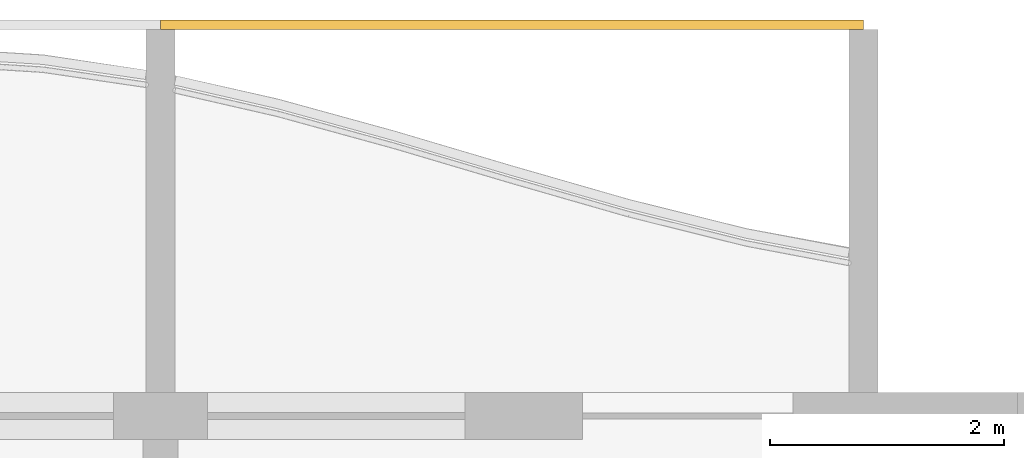
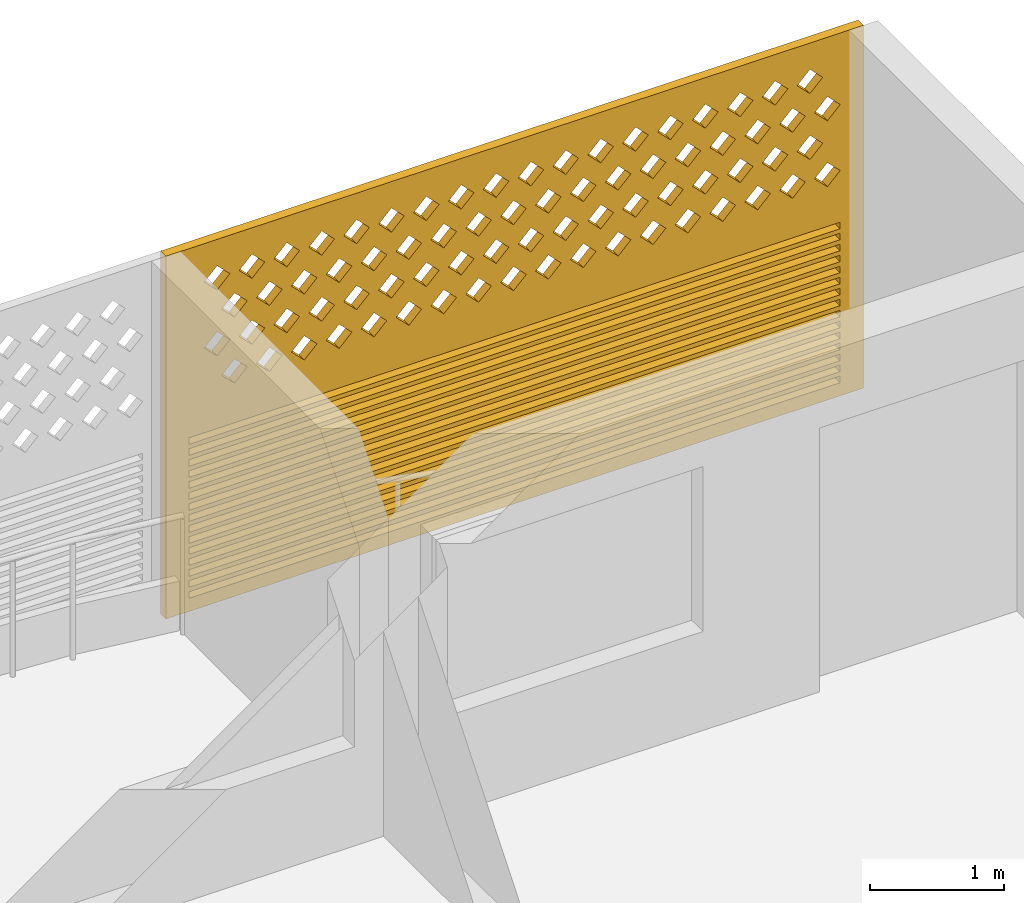
# One storey, part 31 of 31: 1 covering.
"""IFC4 building model written with IfcOpenShell, lengths in metres."""

from ifc_helpers import new_model, si_unit, direction, frame, origin, place, context, subcontext, project, spatial, polyline, outline, extrude, source, transform, mapped, material, material_profile, profile_set, type_object, element, save


model = new_model("IFC4")

# Units and contexts
model_context = context("Model", 3, precision=1e-05, world=origin(), true_north=direction((0.0, 1.0)))
body_context = subcontext(model_context, "Body", "Model", "MODEL_VIEW")
ifc_project = project(units=[si_unit("LENGTHUNIT", "METRE"), si_unit("AREAUNIT", "SQUARE_METRE"), si_unit("VOLUMEUNIT", "CUBIC_METRE"), si_unit("PLANEANGLEUNIT", "RADIAN"), si_unit("MASSUNIT", "GRAM", prefix="KILO")], contexts=[model_context])

# Site, building, storey
site_placement = place(None, origin())
site = spatial("IfcSite", under=ifc_project, at=site_placement, CompositionType="ELEMENT")
building_placement = place(site_placement, origin())
building = spatial("IfcBuilding", under=site, at=building_placement, Name="Poui Terraces", CompositionType="ELEMENT")
storey_placement = place(building_placement, frame((0.0, 0.0, 145.5)))
storey = spatial("IfcBuildingStorey", under=building, at=storey_placement, Name="L40", CompositionType="ELEMENT", Elevation=145.5)

# Covering
ifc_material = material(Name="Terracotta screen", Category="masonry")
ifc_material_profile = material_profile(ifc_material, outline(polyline([(-3.0, -1.64990234375), (3.0, -1.64990234375), (3.0, 1.64990234375), (-3.0, 1.64990234375), (-3.0, -1.64990234375)]), holes=[polyline([(-2.800048828125, 0.39990234375), (-2.68994140625, 0.2900390625), (-2.580078125, 0.39990234375), (-2.68994140625, 0.510009765625), (-2.800048828125, 0.39990234375)]), polyline([(-2.5, 0.39990234375), (-2.389892578125, 0.2900390625), (-2.280029296875, 0.39990234375), (-2.389892578125, 0.510009765625), (-2.5, 0.39990234375)]), polyline([(-2.199951171875, 0.39990234375), (-2.090087890625, 0.2900390625), (-1.97998046875, 0.39990234375), (-2.090087890625, 0.510009765625), (-2.199951171875, 0.39990234375)]), polyline([(-1.89990234375, 0.39990234375), (-1.7900390625, 0.2900390625), (-1.679931640625, 0.39990234375), (-1.7900390625, 0.510009765625), (-1.89990234375, 0.39990234375)]), polyline([(-1.60009765625, 0.39990234375), (-1.489990234375, 0.2900390625), (-1.3798828125, 0.39990234375), (-1.489990234375, 0.510009765625), (-1.60009765625, 0.39990234375)]), polyline([(-1.300048828125, 0.39990234375), (-1.18994140625, 0.2900390625), (-1.080078125, 0.39990234375), (-1.18994140625, 0.510009765625), (-1.300048828125, 0.39990234375)]), polyline([(-1.0, 0.39990234375), (-0.889892578125, 0.2900390625), (-0.780029296875, 0.39990234375), (-0.889892578125, 0.510009765625), (-1.0, 0.39990234375)]), polyline([(-0.699951171875, 0.39990234375), (-0.590087890625, 0.2900390625), (-0.47998046875, 0.39990234375), (-0.590087890625, 0.510009765625), (-0.699951171875, 0.39990234375)]), polyline([(-0.39990234375, 0.39990234375), (-0.2900390625, 0.2900390625), (-0.179931640625, 0.39990234375), (-0.2900390625, 0.510009765625), (-0.39990234375, 0.39990234375)]), polyline([(-0.10009765625, 0.39990234375), (0.010009765625, 0.2900390625), (0.1201171875, 0.39990234375), (0.010009765625, 0.510009765625), (-0.10009765625, 0.39990234375)]), polyline([(0.199951171875, 0.39990234375), (0.31005859375, 0.2900390625), (0.419921875, 0.39990234375), (0.31005859375, 0.510009765625), (0.199951171875, 0.39990234375)]), polyline([(0.5, 0.39990234375), (0.610107421875, 0.2900390625), (0.719970703125, 0.39990234375), (0.610107421875, 0.510009765625), (0.5, 0.39990234375)]), polyline([(0.800048828125, 0.39990234375), (0.909912109375, 0.2900390625), (1.02001953125, 0.39990234375), (0.909912109375, 0.510009765625), (0.800048828125, 0.39990234375)]), polyline([(1.10009765625, 0.39990234375), (1.2099609375, 0.2900390625), (1.320068359375, 0.39990234375), (1.2099609375, 0.510009765625), (1.10009765625, 0.39990234375)]), polyline([(1.39990234375, 0.39990234375), (1.510009765625, 0.2900390625), (1.6201171875, 0.39990234375), (1.510009765625, 0.510009765625), (1.39990234375, 0.39990234375)]), polyline([(1.699951171875, 0.39990234375), (1.81005859375, 0.2900390625), (1.919921875, 0.39990234375), (1.81005859375, 0.510009765625), (1.699951171875, 0.39990234375)]), polyline([(2.0, 0.39990234375), (2.110107421875, 0.2900390625), (2.219970703125, 0.39990234375), (2.110107421875, 0.510009765625), (2.0, 0.39990234375)]), polyline([(2.300048828125, 0.39990234375), (2.409912109375, 0.2900390625), (2.52001953125, 0.39990234375), (2.409912109375, 0.510009765625), (2.300048828125, 0.39990234375)]), polyline([(-2.64990234375, 0.699951171875), (-2.5400390625, 0.590087890625), (-2.429931640625, 0.699951171875), (-2.5400390625, 0.81005859375), (-2.64990234375, 0.699951171875)]), polyline([(-2.35009765625, 0.699951171875), (-2.239990234375, 0.590087890625), (-2.1298828125, 0.699951171875), (-2.239990234375, 0.81005859375), (-2.35009765625, 0.699951171875)]), polyline([(-2.050048828125, 0.699951171875), (-1.93994140625, 0.590087890625), (-1.830078125, 0.699951171875), (-1.93994140625, 0.81005859375), (-2.050048828125, 0.699951171875)]), polyline([(-1.75, 0.699951171875), (-1.639892578125, 0.590087890625), (-1.530029296875, 0.699951171875), (-1.639892578125, 0.81005859375), (-1.75, 0.699951171875)]), polyline([(-1.449951171875, 0.699951171875), (-1.340087890625, 0.590087890625), (-1.22998046875, 0.699951171875), (-1.340087890625, 0.81005859375), (-1.449951171875, 0.699951171875)]), polyline([(-1.14990234375, 0.699951171875), (-1.0400390625, 0.590087890625), (-0.929931640625, 0.699951171875), (-1.0400390625, 0.81005859375), (-1.14990234375, 0.699951171875)]), polyline([(-0.85009765625, 0.699951171875), (-0.739990234375, 0.590087890625), (-0.6298828125, 0.699951171875), (-0.739990234375, 0.81005859375), (-0.85009765625, 0.699951171875)]), polyline([(-0.550048828125, 0.699951171875), (-0.43994140625, 0.590087890625), (-0.330078125, 0.699951171875), (-0.43994140625, 0.81005859375), (-0.550048828125, 0.699951171875)]), polyline([(-0.25, 0.699951171875), (-0.139892578125, 0.590087890625), (-0.030029296875, 0.699951171875), (-0.139892578125, 0.81005859375), (-0.25, 0.699951171875)]), polyline([(0.050048828125, 0.699951171875), (0.159912109375, 0.590087890625), (0.27001953125, 0.699951171875), (0.159912109375, 0.81005859375), (0.050048828125, 0.699951171875)]), polyline([(0.35009765625, 0.699951171875), (0.4599609375, 0.590087890625), (0.570068359375, 0.699951171875), (0.4599609375, 0.81005859375), (0.35009765625, 0.699951171875)]), polyline([(0.64990234375, 0.699951171875), (0.760009765625, 0.590087890625), (0.8701171875, 0.699951171875), (0.760009765625, 0.81005859375), (0.64990234375, 0.699951171875)]), polyline([(0.949951171875, 0.699951171875), (1.06005859375, 0.590087890625), (1.169921875, 0.699951171875), (1.06005859375, 0.81005859375), (0.949951171875, 0.699951171875)]), polyline([(1.25, 0.699951171875), (1.360107421875, 0.590087890625), (1.469970703125, 0.699951171875), (1.360107421875, 0.81005859375), (1.25, 0.699951171875)]), polyline([(1.550048828125, 0.699951171875), (1.659912109375, 0.590087890625), (1.77001953125, 0.699951171875), (1.659912109375, 0.81005859375), (1.550048828125, 0.699951171875)]), polyline([(1.85009765625, 0.699951171875), (1.9599609375, 0.590087890625), (2.070068359375, 0.699951171875), (1.9599609375, 0.81005859375), (1.85009765625, 0.699951171875)]), polyline([(2.14990234375, 0.699951171875), (2.260009765625, 0.590087890625), (2.3701171875, 0.699951171875), (2.260009765625, 0.81005859375), (2.14990234375, 0.699951171875)]), polyline([(2.449951171875, 0.699951171875), (2.56005859375, 0.590087890625), (2.669921875, 0.699951171875), (2.56005859375, 0.81005859375), (2.449951171875, 0.699951171875)]), polyline([(-2.800048828125, 1.0), (-2.68994140625, 0.889892578125), (-2.580078125, 1.0), (-2.68994140625, 1.110107421875), (-2.800048828125, 1.0)]), polyline([(-2.5, 1.0), (-2.389892578125, 0.889892578125), (-2.280029296875, 1.0), (-2.389892578125, 1.110107421875), (-2.5, 1.0)]), polyline([(-2.199951171875, 1.0), (-2.090087890625, 0.889892578125), (-1.97998046875, 1.0), (-2.090087890625, 1.110107421875), (-2.199951171875, 1.0)]), polyline([(-1.89990234375, 1.0), (-1.7900390625, 0.889892578125), (-1.679931640625, 1.0), (-1.7900390625, 1.110107421875), (-1.89990234375, 1.0)]), polyline([(-1.60009765625, 1.0), (-1.489990234375, 0.889892578125), (-1.3798828125, 1.0), (-1.489990234375, 1.110107421875), (-1.60009765625, 1.0)]), polyline([(-1.300048828125, 1.0), (-1.18994140625, 0.889892578125), (-1.080078125, 1.0), (-1.18994140625, 1.110107421875), (-1.300048828125, 1.0)]), polyline([(-1.0, 1.0), (-0.889892578125, 0.889892578125), (-0.780029296875, 1.0), (-0.889892578125, 1.110107421875), (-1.0, 1.0)]), polyline([(-0.699951171875, 1.0), (-0.590087890625, 0.889892578125), (-0.47998046875, 1.0), (-0.590087890625, 1.110107421875), (-0.699951171875, 1.0)]), polyline([(-0.39990234375, 1.0), (-0.2900390625, 0.889892578125), (-0.179931640625, 1.0), (-0.2900390625, 1.110107421875), (-0.39990234375, 1.0)]), polyline([(-0.10009765625, 1.0), (0.010009765625, 0.889892578125), (0.1201171875, 1.0), (0.010009765625, 1.110107421875), (-0.10009765625, 1.0)]), polyline([(0.199951171875, 1.0), (0.31005859375, 0.889892578125), (0.419921875, 1.0), (0.31005859375, 1.110107421875), (0.199951171875, 1.0)]), polyline([(0.5, 1.0), (0.610107421875, 0.889892578125), (0.719970703125, 1.0), (0.610107421875, 1.110107421875), (0.5, 1.0)]), polyline([(0.800048828125, 1.0), (0.909912109375, 0.889892578125), (1.02001953125, 1.0), (0.909912109375, 1.110107421875), (0.800048828125, 1.0)]), polyline([(1.10009765625, 1.0), (1.2099609375, 0.889892578125), (1.320068359375, 1.0), (1.2099609375, 1.110107421875), (1.10009765625, 1.0)]), polyline([(1.39990234375, 1.0), (1.510009765625, 0.889892578125), (1.6201171875, 1.0), (1.510009765625, 1.110107421875), (1.39990234375, 1.0)]), polyline([(1.699951171875, 1.0), (1.81005859375, 0.889892578125), (1.919921875, 1.0), (1.81005859375, 1.110107421875), (1.699951171875, 1.0)]), polyline([(2.0, 1.0), (2.110107421875, 0.889892578125), (2.219970703125, 1.0), (2.110107421875, 1.110107421875), (2.0, 1.0)]), polyline([(2.300048828125, 1.0), (2.409912109375, 0.889892578125), (2.52001953125, 1.0), (2.409912109375, 1.110107421875), (2.300048828125, 1.0)]), polyline([(-2.64990234375, 1.300048828125), (-2.5400390625, 1.18994140625), (-2.429931640625, 1.300048828125), (-2.5400390625, 1.409912109375), (-2.64990234375, 1.300048828125)]), polyline([(-2.35009765625, 1.300048828125), (-2.239990234375, 1.18994140625), (-2.1298828125, 1.300048828125), (-2.239990234375, 1.409912109375), (-2.35009765625, 1.300048828125)]), polyline([(-2.050048828125, 1.300048828125), (-1.93994140625, 1.18994140625), (-1.830078125, 1.300048828125), (-1.93994140625, 1.409912109375), (-2.050048828125, 1.300048828125)]), polyline([(-1.75, 1.300048828125), (-1.639892578125, 1.18994140625), (-1.530029296875, 1.300048828125), (-1.639892578125, 1.409912109375), (-1.75, 1.300048828125)]), polyline([(-1.449951171875, 1.300048828125), (-1.340087890625, 1.18994140625), (-1.22998046875, 1.300048828125), (-1.340087890625, 1.409912109375), (-1.449951171875, 1.300048828125)]), polyline([(-1.14990234375, 1.300048828125), (-1.0400390625, 1.18994140625), (-0.929931640625, 1.300048828125), (-1.0400390625, 1.409912109375), (-1.14990234375, 1.300048828125)]), polyline([(-0.85009765625, 1.300048828125), (-0.739990234375, 1.18994140625), (-0.6298828125, 1.300048828125), (-0.739990234375, 1.409912109375), (-0.85009765625, 1.300048828125)]), polyline([(-0.550048828125, 1.300048828125), (-0.43994140625, 1.18994140625), (-0.330078125, 1.300048828125), (-0.43994140625, 1.409912109375), (-0.550048828125, 1.300048828125)]), polyline([(-0.25, 1.300048828125), (-0.139892578125, 1.18994140625), (-0.030029296875, 1.300048828125), (-0.139892578125, 1.409912109375), (-0.25, 1.300048828125)]), polyline([(0.050048828125, 1.300048828125), (0.159912109375, 1.18994140625), (0.27001953125, 1.300048828125), (0.159912109375, 1.409912109375), (0.050048828125, 1.300048828125)]), polyline([(0.35009765625, 1.300048828125), (0.4599609375, 1.18994140625), (0.570068359375, 1.300048828125), (0.4599609375, 1.409912109375), (0.35009765625, 1.300048828125)]), polyline([(0.64990234375, 1.300048828125), (0.760009765625, 1.18994140625), (0.8701171875, 1.300048828125), (0.760009765625, 1.409912109375), (0.64990234375, 1.300048828125)]), polyline([(0.949951171875, 1.300048828125), (1.06005859375, 1.18994140625), (1.169921875, 1.300048828125), (1.06005859375, 1.409912109375), (0.949951171875, 1.300048828125)]), polyline([(1.25, 1.300048828125), (1.360107421875, 1.18994140625), (1.469970703125, 1.300048828125), (1.360107421875, 1.409912109375), (1.25, 1.300048828125)]), polyline([(1.550048828125, 1.300048828125), (1.659912109375, 1.18994140625), (1.77001953125, 1.300048828125), (1.659912109375, 1.409912109375), (1.550048828125, 1.300048828125)]), polyline([(1.85009765625, 1.300048828125), (1.9599609375, 1.18994140625), (2.070068359375, 1.300048828125), (1.9599609375, 1.409912109375), (1.85009765625, 1.300048828125)]), polyline([(2.14990234375, 1.300048828125), (2.260009765625, 1.18994140625), (2.3701171875, 1.300048828125), (2.260009765625, 1.409912109375), (2.14990234375, 1.300048828125)]), polyline([(2.449951171875, 1.300048828125), (2.56005859375, 1.18994140625), (2.669921875, 1.300048828125), (2.56005859375, 1.409912109375), (2.449951171875, 1.300048828125)]), polyline([(-2.800048828125, -1.530029296875), (2.800048828125, -1.530029296875), (2.800048828125, -1.469970703125), (-2.800048828125, -1.469970703125), (-2.800048828125, -1.530029296875)]), polyline([(-2.800048828125, -1.429931640625), (2.800048828125, -1.429931640625), (2.800048828125, -1.3701171875), (-2.800048828125, -1.3701171875), (-2.800048828125, -1.429931640625)]), polyline([(-2.800048828125, -1.330078125), (2.800048828125, -1.330078125), (2.800048828125, -1.27001953125), (-2.800048828125, -1.27001953125), (-2.800048828125, -1.330078125)]), polyline([(-2.800048828125, -1.22998046875), (2.800048828125, -1.22998046875), (2.800048828125, -1.169921875), (-2.800048828125, -1.169921875), (-2.800048828125, -1.22998046875)]), polyline([(-2.800048828125, -1.1298828125), (2.800048828125, -1.1298828125), (2.800048828125, -1.070068359375), (-2.800048828125, -1.070068359375), (-2.800048828125, -1.1298828125)]), polyline([(-2.800048828125, -1.030029296875), (2.800048828125, -1.030029296875), (2.800048828125, -0.969970703125), (-2.800048828125, -0.969970703125), (-2.800048828125, -1.030029296875)]), polyline([(-2.800048828125, -0.929931640625), (2.800048828125, -0.929931640625), (2.800048828125, -0.8701171875), (-2.800048828125, -0.8701171875), (-2.800048828125, -0.929931640625)]), polyline([(-2.800048828125, -0.830078125), (2.800048828125, -0.830078125), (2.800048828125, -0.77001953125), (-2.800048828125, -0.77001953125), (-2.800048828125, -0.830078125)]), polyline([(-2.800048828125, -0.72998046875), (2.800048828125, -0.72998046875), (2.800048828125, -0.669921875), (-2.800048828125, -0.669921875), (-2.800048828125, -0.72998046875)]), polyline([(-2.800048828125, -0.6298828125), (2.800048828125, -0.6298828125), (2.800048828125, -0.570068359375), (-2.800048828125, -0.570068359375), (-2.800048828125, -0.6298828125)]), polyline([(-2.800048828125, -0.530029296875), (2.800048828125, -0.530029296875), (2.800048828125, -0.469970703125), (-2.800048828125, -0.469970703125), (-2.800048828125, -0.530029296875)]), polyline([(-2.800048828125, -0.429931640625), (2.800048828125, -0.429931640625), (2.800048828125, -0.3701171875), (-2.800048828125, -0.3701171875), (-2.800048828125, -0.429931640625)]), polyline([(-2.800048828125, -0.330078125), (2.800048828125, -0.330078125), (2.800048828125, -0.27001953125), (-2.800048828125, -0.27001953125), (-2.800048828125, -0.330078125)]), polyline([(-2.800048828125, -0.22998046875), (2.800048828125, -0.22998046875), (2.800048828125, -0.169921875), (-2.800048828125, -0.169921875), (-2.800048828125, -0.22998046875)]), polyline([(-2.800048828125, -0.1298828125), (2.800048828125, -0.1298828125), (2.800048828125, -0.070068359375), (-2.800048828125, -0.070068359375), (-2.800048828125, -0.1298828125)])]), Name="TERRACOTTA SCREEN AND JALOUSIE LOUVRE 6000X3300")
ifc_profile_set = profile_set([ifc_material_profile], Name="Terracotta screen")
covering_type = type_object("IfcCoveringType", Name="TERRACOTTA SCREEN AND JALOUSIE LOUVRE 6000X3300", PredefinedType="CLADDING", material=ifc_profile_set)
shared_shape = source(origin(), body_context, "Body", "SweptSolid", [
    extrude(outline(polyline([(-3.0, -1.64990234375), (3.0, -1.64990234375), (3.0, 1.64990234375), (-3.0, 1.64990234375), (-3.0, -1.64990234375)]), holes=[polyline([(-2.800048828125, 0.39990234375), (-2.68994140625, 0.2900390625), (-2.580078125, 0.39990234375), (-2.68994140625, 0.510009765625), (-2.800048828125, 0.39990234375)]), polyline([(-2.5, 0.39990234375), (-2.389892578125, 0.2900390625), (-2.280029296875, 0.39990234375), (-2.389892578125, 0.510009765625), (-2.5, 0.39990234375)]), polyline([(-2.199951171875, 0.39990234375), (-2.090087890625, 0.2900390625), (-1.97998046875, 0.39990234375), (-2.090087890625, 0.510009765625), (-2.199951171875, 0.39990234375)]), polyline([(-1.89990234375, 0.39990234375), (-1.7900390625, 0.2900390625), (-1.679931640625, 0.39990234375), (-1.7900390625, 0.510009765625), (-1.89990234375, 0.39990234375)]), polyline([(-1.60009765625, 0.39990234375), (-1.489990234375, 0.2900390625), (-1.3798828125, 0.39990234375), (-1.489990234375, 0.510009765625), (-1.60009765625, 0.39990234375)]), polyline([(-1.300048828125, 0.39990234375), (-1.18994140625, 0.2900390625), (-1.080078125, 0.39990234375), (-1.18994140625, 0.510009765625), (-1.300048828125, 0.39990234375)]), polyline([(-1.0, 0.39990234375), (-0.889892578125, 0.2900390625), (-0.780029296875, 0.39990234375), (-0.889892578125, 0.510009765625), (-1.0, 0.39990234375)]), polyline([(-0.699951171875, 0.39990234375), (-0.590087890625, 0.2900390625), (-0.47998046875, 0.39990234375), (-0.590087890625, 0.510009765625), (-0.699951171875, 0.39990234375)]), polyline([(-0.39990234375, 0.39990234375), (-0.2900390625, 0.2900390625), (-0.179931640625, 0.39990234375), (-0.2900390625, 0.510009765625), (-0.39990234375, 0.39990234375)]), polyline([(-0.10009765625, 0.39990234375), (0.010009765625, 0.2900390625), (0.1201171875, 0.39990234375), (0.010009765625, 0.510009765625), (-0.10009765625, 0.39990234375)]), polyline([(0.199951171875, 0.39990234375), (0.31005859375, 0.2900390625), (0.419921875, 0.39990234375), (0.31005859375, 0.510009765625), (0.199951171875, 0.39990234375)]), polyline([(0.5, 0.39990234375), (0.610107421875, 0.2900390625), (0.719970703125, 0.39990234375), (0.610107421875, 0.510009765625), (0.5, 0.39990234375)]), polyline([(0.800048828125, 0.39990234375), (0.909912109375, 0.2900390625), (1.02001953125, 0.39990234375), (0.909912109375, 0.510009765625), (0.800048828125, 0.39990234375)]), polyline([(1.10009765625, 0.39990234375), (1.2099609375, 0.2900390625), (1.320068359375, 0.39990234375), (1.2099609375, 0.510009765625), (1.10009765625, 0.39990234375)]), polyline([(1.39990234375, 0.39990234375), (1.510009765625, 0.2900390625), (1.6201171875, 0.39990234375), (1.510009765625, 0.510009765625), (1.39990234375, 0.39990234375)]), polyline([(1.699951171875, 0.39990234375), (1.81005859375, 0.2900390625), (1.919921875, 0.39990234375), (1.81005859375, 0.510009765625), (1.699951171875, 0.39990234375)]), polyline([(2.0, 0.39990234375), (2.110107421875, 0.2900390625), (2.219970703125, 0.39990234375), (2.110107421875, 0.510009765625), (2.0, 0.39990234375)]), polyline([(2.300048828125, 0.39990234375), (2.409912109375, 0.2900390625), (2.52001953125, 0.39990234375), (2.409912109375, 0.510009765625), (2.300048828125, 0.39990234375)]), polyline([(-2.64990234375, 0.699951171875), (-2.5400390625, 0.590087890625), (-2.429931640625, 0.699951171875), (-2.5400390625, 0.81005859375), (-2.64990234375, 0.699951171875)]), polyline([(-2.35009765625, 0.699951171875), (-2.239990234375, 0.590087890625), (-2.1298828125, 0.699951171875), (-2.239990234375, 0.81005859375), (-2.35009765625, 0.699951171875)]), polyline([(-2.050048828125, 0.699951171875), (-1.93994140625, 0.590087890625), (-1.830078125, 0.699951171875), (-1.93994140625, 0.81005859375), (-2.050048828125, 0.699951171875)]), polyline([(-1.75, 0.699951171875), (-1.639892578125, 0.590087890625), (-1.530029296875, 0.699951171875), (-1.639892578125, 0.81005859375), (-1.75, 0.699951171875)]), polyline([(-1.449951171875, 0.699951171875), (-1.340087890625, 0.590087890625), (-1.22998046875, 0.699951171875), (-1.340087890625, 0.81005859375), (-1.449951171875, 0.699951171875)]), polyline([(-1.14990234375, 0.699951171875), (-1.0400390625, 0.590087890625), (-0.929931640625, 0.699951171875), (-1.0400390625, 0.81005859375), (-1.14990234375, 0.699951171875)]), polyline([(-0.85009765625, 0.699951171875), (-0.739990234375, 0.590087890625), (-0.6298828125, 0.699951171875), (-0.739990234375, 0.81005859375), (-0.85009765625, 0.699951171875)]), polyline([(-0.550048828125, 0.699951171875), (-0.43994140625, 0.590087890625), (-0.330078125, 0.699951171875), (-0.43994140625, 0.81005859375), (-0.550048828125, 0.699951171875)]), polyline([(-0.25, 0.699951171875), (-0.139892578125, 0.590087890625), (-0.030029296875, 0.699951171875), (-0.139892578125, 0.81005859375), (-0.25, 0.699951171875)]), polyline([(0.050048828125, 0.699951171875), (0.159912109375, 0.590087890625), (0.27001953125, 0.699951171875), (0.159912109375, 0.81005859375), (0.050048828125, 0.699951171875)]), polyline([(0.35009765625, 0.699951171875), (0.4599609375, 0.590087890625), (0.570068359375, 0.699951171875), (0.4599609375, 0.81005859375), (0.35009765625, 0.699951171875)]), polyline([(0.64990234375, 0.699951171875), (0.760009765625, 0.590087890625), (0.8701171875, 0.699951171875), (0.760009765625, 0.81005859375), (0.64990234375, 0.699951171875)]), polyline([(0.949951171875, 0.699951171875), (1.06005859375, 0.590087890625), (1.169921875, 0.699951171875), (1.06005859375, 0.81005859375), (0.949951171875, 0.699951171875)]), polyline([(1.25, 0.699951171875), (1.360107421875, 0.590087890625), (1.469970703125, 0.699951171875), (1.360107421875, 0.81005859375), (1.25, 0.699951171875)]), polyline([(1.550048828125, 0.699951171875), (1.659912109375, 0.590087890625), (1.77001953125, 0.699951171875), (1.659912109375, 0.81005859375), (1.550048828125, 0.699951171875)]), polyline([(1.85009765625, 0.699951171875), (1.9599609375, 0.590087890625), (2.070068359375, 0.699951171875), (1.9599609375, 0.81005859375), (1.85009765625, 0.699951171875)]), polyline([(2.14990234375, 0.699951171875), (2.260009765625, 0.590087890625), (2.3701171875, 0.699951171875), (2.260009765625, 0.81005859375), (2.14990234375, 0.699951171875)]), polyline([(2.449951171875, 0.699951171875), (2.56005859375, 0.590087890625), (2.669921875, 0.699951171875), (2.56005859375, 0.81005859375), (2.449951171875, 0.699951171875)]), polyline([(-2.800048828125, 1.0), (-2.68994140625, 0.889892578125), (-2.580078125, 1.0), (-2.68994140625, 1.110107421875), (-2.800048828125, 1.0)]), polyline([(-2.5, 1.0), (-2.389892578125, 0.889892578125), (-2.280029296875, 1.0), (-2.389892578125, 1.110107421875), (-2.5, 1.0)]), polyline([(-2.199951171875, 1.0), (-2.090087890625, 0.889892578125), (-1.97998046875, 1.0), (-2.090087890625, 1.110107421875), (-2.199951171875, 1.0)]), polyline([(-1.89990234375, 1.0), (-1.7900390625, 0.889892578125), (-1.679931640625, 1.0), (-1.7900390625, 1.110107421875), (-1.89990234375, 1.0)]), polyline([(-1.60009765625, 1.0), (-1.489990234375, 0.889892578125), (-1.3798828125, 1.0), (-1.489990234375, 1.110107421875), (-1.60009765625, 1.0)]), polyline([(-1.300048828125, 1.0), (-1.18994140625, 0.889892578125), (-1.080078125, 1.0), (-1.18994140625, 1.110107421875), (-1.300048828125, 1.0)]), polyline([(-1.0, 1.0), (-0.889892578125, 0.889892578125), (-0.780029296875, 1.0), (-0.889892578125, 1.110107421875), (-1.0, 1.0)]), polyline([(-0.699951171875, 1.0), (-0.590087890625, 0.889892578125), (-0.47998046875, 1.0), (-0.590087890625, 1.110107421875), (-0.699951171875, 1.0)]), polyline([(-0.39990234375, 1.0), (-0.2900390625, 0.889892578125), (-0.179931640625, 1.0), (-0.2900390625, 1.110107421875), (-0.39990234375, 1.0)]), polyline([(-0.10009765625, 1.0), (0.010009765625, 0.889892578125), (0.1201171875, 1.0), (0.010009765625, 1.110107421875), (-0.10009765625, 1.0)]), polyline([(0.199951171875, 1.0), (0.31005859375, 0.889892578125), (0.419921875, 1.0), (0.31005859375, 1.110107421875), (0.199951171875, 1.0)]), polyline([(0.5, 1.0), (0.610107421875, 0.889892578125), (0.719970703125, 1.0), (0.610107421875, 1.110107421875), (0.5, 1.0)]), polyline([(0.800048828125, 1.0), (0.909912109375, 0.889892578125), (1.02001953125, 1.0), (0.909912109375, 1.110107421875), (0.800048828125, 1.0)]), polyline([(1.10009765625, 1.0), (1.2099609375, 0.889892578125), (1.320068359375, 1.0), (1.2099609375, 1.110107421875), (1.10009765625, 1.0)]), polyline([(1.39990234375, 1.0), (1.510009765625, 0.889892578125), (1.6201171875, 1.0), (1.510009765625, 1.110107421875), (1.39990234375, 1.0)]), polyline([(1.699951171875, 1.0), (1.81005859375, 0.889892578125), (1.919921875, 1.0), (1.81005859375, 1.110107421875), (1.699951171875, 1.0)]), polyline([(2.0, 1.0), (2.110107421875, 0.889892578125), (2.219970703125, 1.0), (2.110107421875, 1.110107421875), (2.0, 1.0)]), polyline([(2.300048828125, 1.0), (2.409912109375, 0.889892578125), (2.52001953125, 1.0), (2.409912109375, 1.110107421875), (2.300048828125, 1.0)]), polyline([(-2.64990234375, 1.300048828125), (-2.5400390625, 1.18994140625), (-2.429931640625, 1.300048828125), (-2.5400390625, 1.409912109375), (-2.64990234375, 1.300048828125)]), polyline([(-2.35009765625, 1.300048828125), (-2.239990234375, 1.18994140625), (-2.1298828125, 1.300048828125), (-2.239990234375, 1.409912109375), (-2.35009765625, 1.300048828125)]), polyline([(-2.050048828125, 1.300048828125), (-1.93994140625, 1.18994140625), (-1.830078125, 1.300048828125), (-1.93994140625, 1.409912109375), (-2.050048828125, 1.300048828125)]), polyline([(-1.75, 1.300048828125), (-1.639892578125, 1.18994140625), (-1.530029296875, 1.300048828125), (-1.639892578125, 1.409912109375), (-1.75, 1.300048828125)]), polyline([(-1.449951171875, 1.300048828125), (-1.340087890625, 1.18994140625), (-1.22998046875, 1.300048828125), (-1.340087890625, 1.409912109375), (-1.449951171875, 1.300048828125)]), polyline([(-1.14990234375, 1.300048828125), (-1.0400390625, 1.18994140625), (-0.929931640625, 1.300048828125), (-1.0400390625, 1.409912109375), (-1.14990234375, 1.300048828125)]), polyline([(-0.85009765625, 1.300048828125), (-0.739990234375, 1.18994140625), (-0.6298828125, 1.300048828125), (-0.739990234375, 1.409912109375), (-0.85009765625, 1.300048828125)]), polyline([(-0.550048828125, 1.300048828125), (-0.43994140625, 1.18994140625), (-0.330078125, 1.300048828125), (-0.43994140625, 1.409912109375), (-0.550048828125, 1.300048828125)]), polyline([(-0.25, 1.300048828125), (-0.139892578125, 1.18994140625), (-0.030029296875, 1.300048828125), (-0.139892578125, 1.409912109375), (-0.25, 1.300048828125)]), polyline([(0.050048828125, 1.300048828125), (0.159912109375, 1.18994140625), (0.27001953125, 1.300048828125), (0.159912109375, 1.409912109375), (0.050048828125, 1.300048828125)]), polyline([(0.35009765625, 1.300048828125), (0.4599609375, 1.18994140625), (0.570068359375, 1.300048828125), (0.4599609375, 1.409912109375), (0.35009765625, 1.300048828125)]), polyline([(0.64990234375, 1.300048828125), (0.760009765625, 1.18994140625), (0.8701171875, 1.300048828125), (0.760009765625, 1.409912109375), (0.64990234375, 1.300048828125)]), polyline([(0.949951171875, 1.300048828125), (1.06005859375, 1.18994140625), (1.169921875, 1.300048828125), (1.06005859375, 1.409912109375), (0.949951171875, 1.300048828125)]), polyline([(1.25, 1.300048828125), (1.360107421875, 1.18994140625), (1.469970703125, 1.300048828125), (1.360107421875, 1.409912109375), (1.25, 1.300048828125)]), polyline([(1.550048828125, 1.300048828125), (1.659912109375, 1.18994140625), (1.77001953125, 1.300048828125), (1.659912109375, 1.409912109375), (1.550048828125, 1.300048828125)]), polyline([(1.85009765625, 1.300048828125), (1.9599609375, 1.18994140625), (2.070068359375, 1.300048828125), (1.9599609375, 1.409912109375), (1.85009765625, 1.300048828125)]), polyline([(2.14990234375, 1.300048828125), (2.260009765625, 1.18994140625), (2.3701171875, 1.300048828125), (2.260009765625, 1.409912109375), (2.14990234375, 1.300048828125)]), polyline([(2.449951171875, 1.300048828125), (2.56005859375, 1.18994140625), (2.669921875, 1.300048828125), (2.56005859375, 1.409912109375), (2.449951171875, 1.300048828125)]), polyline([(-2.800048828125, -1.530029296875), (2.800048828125, -1.530029296875), (2.800048828125, -1.469970703125), (-2.800048828125, -1.469970703125), (-2.800048828125, -1.530029296875)]), polyline([(-2.800048828125, -1.429931640625), (2.800048828125, -1.429931640625), (2.800048828125, -1.3701171875), (-2.800048828125, -1.3701171875), (-2.800048828125, -1.429931640625)]), polyline([(-2.800048828125, -1.330078125), (2.800048828125, -1.330078125), (2.800048828125, -1.27001953125), (-2.800048828125, -1.27001953125), (-2.800048828125, -1.330078125)]), polyline([(-2.800048828125, -1.22998046875), (2.800048828125, -1.22998046875), (2.800048828125, -1.169921875), (-2.800048828125, -1.169921875), (-2.800048828125, -1.22998046875)]), polyline([(-2.800048828125, -1.1298828125), (2.800048828125, -1.1298828125), (2.800048828125, -1.070068359375), (-2.800048828125, -1.070068359375), (-2.800048828125, -1.1298828125)]), polyline([(-2.800048828125, -1.030029296875), (2.800048828125, -1.030029296875), (2.800048828125, -0.969970703125), (-2.800048828125, -0.969970703125), (-2.800048828125, -1.030029296875)]), polyline([(-2.800048828125, -0.929931640625), (2.800048828125, -0.929931640625), (2.800048828125, -0.8701171875), (-2.800048828125, -0.8701171875), (-2.800048828125, -0.929931640625)]), polyline([(-2.800048828125, -0.830078125), (2.800048828125, -0.830078125), (2.800048828125, -0.77001953125), (-2.800048828125, -0.77001953125), (-2.800048828125, -0.830078125)]), polyline([(-2.800048828125, -0.72998046875), (2.800048828125, -0.72998046875), (2.800048828125, -0.669921875), (-2.800048828125, -0.669921875), (-2.800048828125, -0.72998046875)]), polyline([(-2.800048828125, -0.6298828125), (2.800048828125, -0.6298828125), (2.800048828125, -0.570068359375), (-2.800048828125, -0.570068359375), (-2.800048828125, -0.6298828125)]), polyline([(-2.800048828125, -0.530029296875), (2.800048828125, -0.530029296875), (2.800048828125, -0.469970703125), (-2.800048828125, -0.469970703125), (-2.800048828125, -0.530029296875)]), polyline([(-2.800048828125, -0.429931640625), (2.800048828125, -0.429931640625), (2.800048828125, -0.3701171875), (-2.800048828125, -0.3701171875), (-2.800048828125, -0.429931640625)]), polyline([(-2.800048828125, -0.330078125), (2.800048828125, -0.330078125), (2.800048828125, -0.27001953125), (-2.800048828125, -0.27001953125), (-2.800048828125, -0.330078125)]), polyline([(-2.800048828125, -0.22998046875), (2.800048828125, -0.22998046875), (2.800048828125, -0.169921875), (-2.800048828125, -0.169921875), (-2.800048828125, -0.22998046875)]), polyline([(-2.800048828125, -0.1298828125), (2.800048828125, -0.1298828125), (2.800048828125, -0.070068359375), (-2.800048828125, -0.070068359375), (-2.800048828125, -0.1298828125)])]), origin(), (0.0, 0.0, 1.0), 0.080078125),
])
covering_placement = place(storey_placement, frame((81.0, 45.699951171875, 1.449951171875), z_axis=(0.0, 1.0, 0.0), x_axis=(-1.0, 0.0, 0.0)))
element("IfcCovering", 1, at=covering_placement, inside=storey, type_object=covering_type, Name="SOLAR SCREEN AND JALOUSIE LOUVRE", PredefinedType="CLADDING", context=body_context, shape_type="MappedRepresentation", body=[
    mapped(shared_shape, transform((0.0, 0.0, 0.0))),
])

save(model, "model.ifc")
